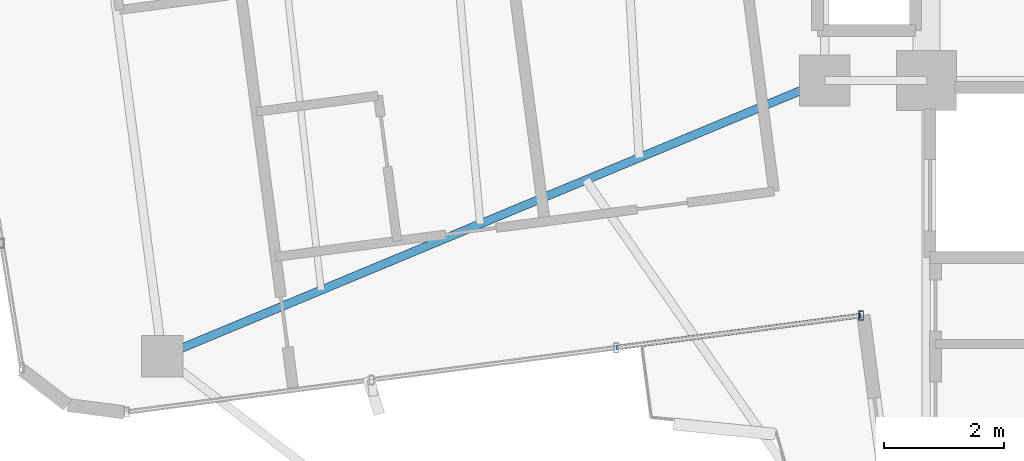
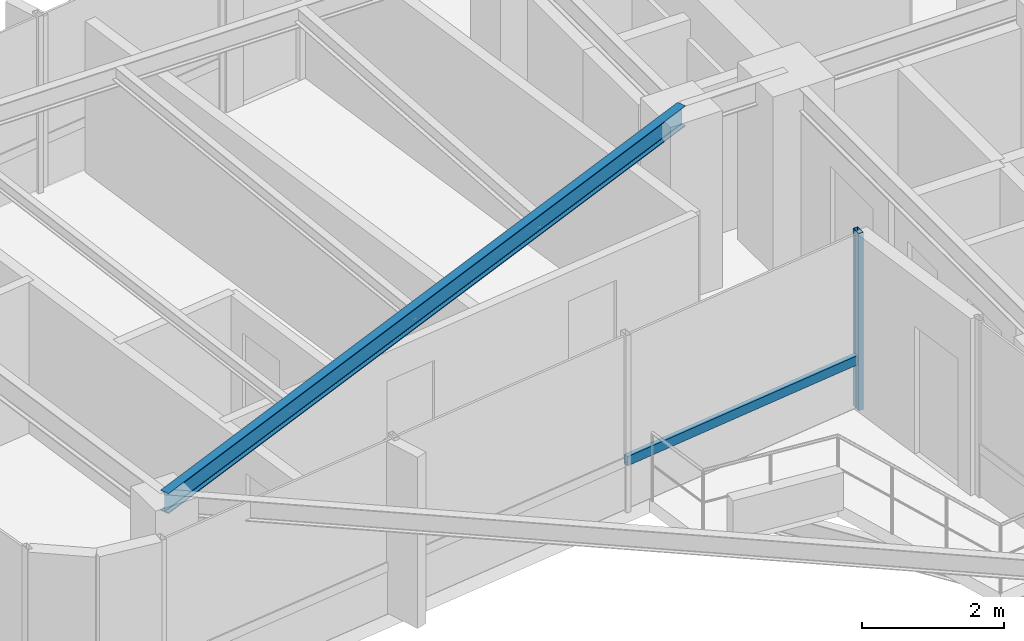
# One storey, part 3 of 23: 2 members, 1 beam, 1 element without a shape of its own.
"""IFC4 building model written with IfcOpenShell, lengths in metres."""

from ifc_helpers import new_model, si_unit, direction, frame, origin, origin_2d, place, context, subcontext, project, spatial, hollow_rectangle, i_section, extrude, source, transform, mapped, material, material_profile, profile_set, type_object, element, aggregate, save


model = new_model("IFC4")

# Units and contexts
model_context = context("Model", 3, precision=1e-05, world=origin(), true_north=direction((0.0, 1.0)))
body_context = subcontext(model_context, "Body", "Model", "MODEL_VIEW")
ifc_project = project(units=[si_unit("LENGTHUNIT", "METRE"), si_unit("AREAUNIT", "SQUARE_METRE"), si_unit("VOLUMEUNIT", "CUBIC_METRE"), si_unit("PLANEANGLEUNIT", "RADIAN"), si_unit("MASSUNIT", "GRAM", prefix="KILO")], contexts=[model_context])

# Site, building, storey
site_placement = place(None, origin())
site = spatial("IfcSite", under=ifc_project, at=site_placement, CompositionType="ELEMENT")
building_placement = place(site_placement, origin())
building = spatial("IfcBuilding", under=site, at=building_placement, Name="Sahyath Konkavel Grand Hotel", CompositionType="ELEMENT")
storey_placement = place(building_placement, frame((0.0, 0.0, 226.60009765625)))
storey = spatial("IfcBuildingStorey", under=building, at=storey_placement, Name="L63", CompositionType="ELEMENT", Elevation=226.60009765625)

# Beam
ifc_material_1 = material(Name="Steel E350", Category="steel")
ifc_material_profile_1 = material_profile(ifc_material_1, i_section(OverallWidth=0.139892578125, OverallDepth=0.35009765625, WebThickness=0.008056640625, FlangeThickness=0.01416015625, FilletRadius=0.013916015625, at=origin_2d()), Name="ISMB 350")
ifc_profile_set_1 = profile_set([ifc_material_profile_1], Name="Steel E350")
beam_type = type_object("IfcBeamType", Name="BM-ISMB350", PredefinedType="BEAM", material=ifc_profile_set_1)
shared_shape_1 = source(origin(), body_context, "Body", "SweptSolid", [
    extrude(i_section(OverallWidth=0.139892578125, OverallDepth=0.35009765625, WebThickness=0.008056640625, FlangeThickness=0.01416015625, FilletRadius=0.013916015625, at=origin_2d()), origin(), (0.0, 0.0, 1.0), 12.0078125),
])
beam_placement = place(storey_placement, frame((-5.5, -2.39990234375, 2.875), z_axis=(-0.923263288918, -0.384167801015, 0.0), x_axis=(0.384167801015, -0.923263288918, 0.0)))
element("IfcBeam", 1, at=beam_placement, inside=storey, type_object=beam_type, Name="L63 Cruciform Radial Girder WB", PredefinedType="BEAM", context=body_context, shape_type="MappedRepresentation", body=[
    mapped(shared_shape_1, transform((0.0, 0.0, 0.0), scale=1.0)),
])

# Curtain wall, members
ifc_material_2 = material(Name="Anodised Bronze Aluminium & Low-E Glazing", Category="aluminium")
curtain_wall_type = type_object("IfcCurtainWallType", Name="CW-ZONE4", PredefinedType="NOTDEFINED", material=ifc_material_2)
curtain_wall_placement = place(storey_placement, origin())
curtain_wall = element("IfcCurtainWall", 2, at=curtain_wall_placement, inside=storey, type_object=curtain_wall_type, Name="L63 Unitised Curtain Wall F23", PredefinedType="NOTDEFINED")
ifc_material_3 = material(Name="Anodised Bronze Aluminium", Category="aluminium")
ifc_material_profile_2 = material_profile(ifc_material_3, hollow_rectangle(XDim=0.080078125, YDim=0.159912109375, WallThickness=0.006103515625, at=origin_2d()), Name="RHS 160x80x6")
ifc_profile_set_2 = profile_set([ifc_material_profile_2], Name="Anodised Bronze Aluminium")
member_type_1 = type_object("IfcMemberType", Name="CW-MUL-160", PredefinedType="MULLION", material=ifc_profile_set_2)
shared_shape_2 = source(origin(), body_context, "Body", "SweptSolid", [
    extrude(hollow_rectangle(XDim=0.080078125, YDim=0.159912109375, WallThickness=0.006103515625, at=origin_2d()), origin(), (0.0, 0.0, 1.0), 3.0498046875),
])
member_1_placement = place(storey_placement, frame((-4.8935546875, -6.330810546875, 0.0), z_axis=(0.0, 0.0, 1.0), x_axis=(1.0, 0.0, 0.0)))
member_1 = element("IfcMember", 3, at=member_1_placement, type_object=member_type_1, Name="L63 Curtain Wall Mullion F23-3", PredefinedType="MULLION", context=body_context, shape_type="MappedRepresentation", body=[
    mapped(shared_shape_2, transform((0.0, 0.0, 0.0), scale=1.0)),
])
ifc_material_profile_3 = material_profile(ifc_material_3, hollow_rectangle(XDim=0.080078125, YDim=0.159912109375, WallThickness=0.006103515625, at=origin_2d()), Name="RHS 160x80x6")
ifc_profile_set_3 = profile_set([ifc_material_profile_3], Name="Anodised Bronze Aluminium")
member_type_2 = type_object("IfcMemberType", Name="CW-TRN-160", PredefinedType="USERDEFINED", material=ifc_profile_set_3)
shared_shape_3 = source(origin(), body_context, "Body", "SweptSolid", [
    extrude(hollow_rectangle(XDim=0.080078125, YDim=0.159912109375, WallThickness=0.006103515625, at=origin_2d()), origin(), (0.0, 0.0, 1.0), 4.130859375),
])
member_2_placement = place(storey_placement, frame((-8.989013671875, -6.8701171875, 0.849853515625), z_axis=(0.991440812194, 0.130556945105, 0.0), x_axis=(-0.130556945105, 0.991440812194, 0.0)))
member_2 = element("IfcMember", 4, at=member_2_placement, type_object=member_type_2, Name="L63 Curtain Wall Transom F23-2-spandrel", ObjectType="TRANSOM", PredefinedType="USERDEFINED", context=body_context, shape_type="MappedRepresentation", body=[
    mapped(shared_shape_3, transform((0.0, 0.0, 0.0), scale=1.0)),
])
aggregate(curtain_wall, [member_1, member_2])

save(model, "model.ifc")
